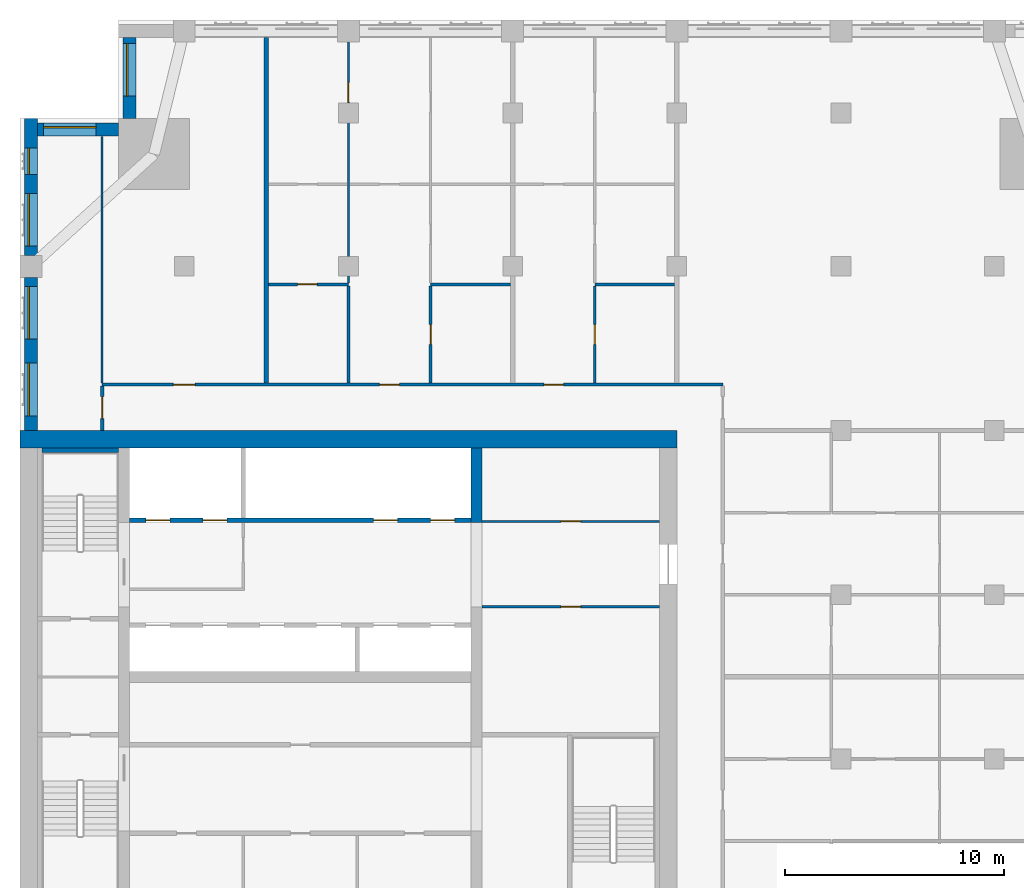
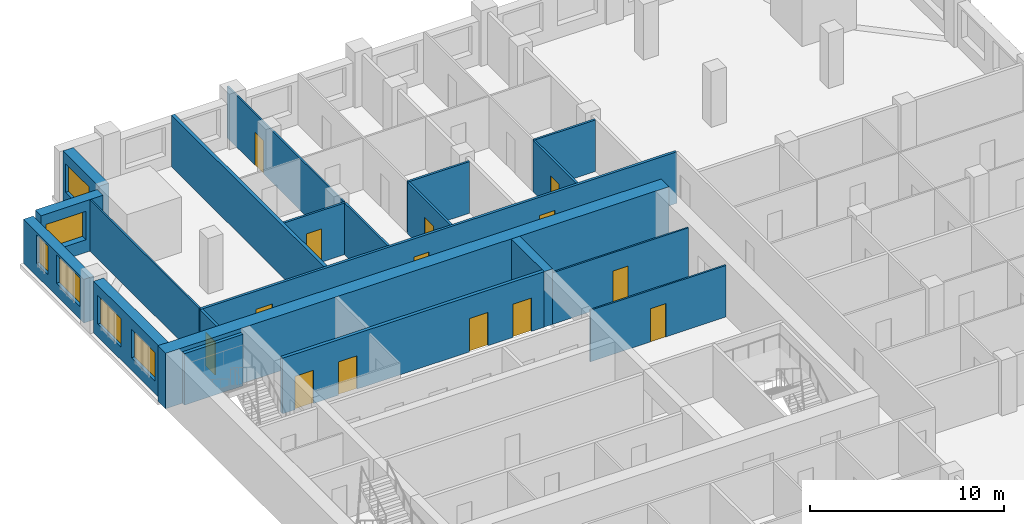
# One storey, part 10 of 14: 21 walls, 14 doors, 6 windows, 20 openings.
"""IFC4 building model written with IfcOpenShell, lengths in metres."""

from ifc_helpers import new_model, si_unit, direction, frame, frame_2d, origin, place, context, subcontext, project, spatial, rectangle, extrude, material, layer, layer_set, type_object, element, fill, save


model = new_model("IFC4")

# Units and contexts
model_context = context("Model", 3, precision=1e-05, world=origin(), true_north=direction((0.0, 1.0)))
body_context = subcontext(model_context, "Body", "Model", "MODEL_VIEW")
ifc_project = project(units=[si_unit("LENGTHUNIT", "METRE"), si_unit("AREAUNIT", "SQUARE_METRE"), si_unit("VOLUMEUNIT", "CUBIC_METRE"), si_unit("PLANEANGLEUNIT", "RADIAN"), si_unit("MASSUNIT", "GRAM", prefix="KILO")], contexts=[model_context])

# Site, building, storey
site_placement = place(None, origin())
site = spatial("IfcSite", under=ifc_project, at=site_placement, CompositionType="ELEMENT")
building_placement = place(site_placement, origin())
building = spatial("IfcBuilding", under=site, at=building_placement, Name="Tamorin Gate", CompositionType="ELEMENT")
storey_placement = place(building_placement, frame((0.0, 0.0, 193.199951171875)))
storey = spatial("IfcBuildingStorey", under=building, at=storey_placement, Name="L47", CompositionType="ELEMENT", Elevation=193.199951171875)

# Wall, opening, window
ifc_material_1 = material(Name="Precast concrete C40/50", Category="concrete")
ifc_layer_1 = layer(ifc_material_1, 0.60009765625)
ifc_layer_set_1 = layer_set([ifc_layer_1], Name="Precast concrete C40/50")
wall_type_1 = type_object("IfcWallType", Name="Board-marked concrete facade panel 600", PredefinedType="SOLIDWALL", material=ifc_layer_set_1)
wall_1_placement = place(storey_placement, frame((35.0, 100.449951171875, 0.0), z_axis=(0.0, 0.0, 1.0), x_axis=(0.0, -1.0, 0.0)))
wall_1 = element("IfcWall", 1, at=wall_1_placement, inside=storey, type_object=wall_type_1, Name="Facade panel", PredefinedType="SOLIDWALL", context=body_context, shape_type="SweptSolid", body=[
    extrude(rectangle(XDim=3.699951171875, YDim=0.60009765625, at=frame_2d((1.85009765625, 0.0))), origin(), (0.0, 0.0, 1.0), 3.25),
])
opening_1_placement = place(wall_1_placement, frame((0.27490234375, 0.0, 0.800048828125)))
opening_1 = element("IfcOpeningElement", 2, at=opening_1_placement, cuts=wall_1, Name="Opening WN1", PredefinedType="OPENING", context=body_context, shape_type="SweptSolid", body=[
    extrude(rectangle(XDim=2.39990234375, YDim=1.800048828125, at=frame_2d((1.199951171875, 0.89990234375))), frame((0.0, 0.31005859375, 0.0), z_axis=(0.0, -1.0, 0.0), x_axis=(1.0, 0.0, 0.0)), (0.0, 0.0, 1.0), 0.6201171875),
])
ifc_material_2 = material(Name="Clear glass in aluminium frame", Category="aluminium")
window_type_1 = type_object("IfcWindowType", Name="Deep-set window 2400x1800", PartitioningType="SINGLE_PANEL", PredefinedType="WINDOW", material=ifc_material_2)
window_1_placement = place(opening_1_placement, origin())
window_1 = element("IfcWindow", 3, at=window_1_placement, inside=storey, type_object=window_type_1, Name="Deep-set window", OverallHeight=1.800048828125, OverallWidth=2.39990234375, PartitioningType="SINGLE_PANEL", PredefinedType="WINDOW", context=body_context, shape_type="SweptSolid", body=[
    extrude(rectangle(XDim=2.39990234375, YDim=1.800048828125, at=frame_2d((1.199951171875, 0.89990234375))), frame((0.0, -0.070068359375, 0.0), z_axis=(0.0, -1.0, 0.0), x_axis=(1.0, 0.0, 0.0)), (0.0, 0.0, 1.0), 0.06005859375),
])
fill(opening_1, window_1)

wall_2_placement = place(storey_placement, frame((34.5, 96.25, 0.0), z_axis=(0.0, 0.0, 1.0), x_axis=(-1.0, 0.0, 0.0)))
wall_2 = element("IfcWall", 4, at=wall_2_placement, inside=storey, type_object=wall_type_1, Name="Facade panel", PredefinedType="SOLIDWALL", context=body_context, shape_type="SweptSolid", body=[
    extrude(rectangle(XDim=3.699951171875, YDim=0.60009765625, at=frame_2d((1.85009765625, 0.0))), origin(), (0.0, 0.0, 1.0), 3.25),
])
opening_2_placement = place(wall_2_placement, frame((1.02490234375, 0.0, 0.800048828125)))
opening_2 = element("IfcOpeningElement", 5, at=opening_2_placement, cuts=wall_2, Name="Opening WN1", PredefinedType="OPENING", context=body_context, shape_type="SweptSolid", body=[
    extrude(rectangle(XDim=2.39990234375, YDim=1.800048828125, at=frame_2d((1.199951171875, 0.89990234375))), frame((0.0, 0.31005859375, 0.0), z_axis=(0.0, -1.0, 0.0), x_axis=(1.0, 0.0, 0.0)), (0.0, 0.0, 1.0), 0.6201171875),
])
window_2_placement = place(opening_2_placement, origin())
window_2 = element("IfcWindow", 6, at=window_2_placement, inside=storey, type_object=window_type_1, Name="Deep-set window", OverallHeight=1.800048828125, OverallWidth=2.39990234375, PartitioningType="SINGLE_PANEL", PredefinedType="WINDOW", context=body_context, shape_type="SweptSolid", body=[
    extrude(rectangle(XDim=2.39990234375, YDim=1.800048828125, at=frame_2d((1.199951171875, 0.89990234375))), frame((0.0, -0.070068359375, 0.0), z_axis=(0.0, -1.0, 0.0), x_axis=(1.0, 0.0, 0.0)), (0.0, 0.0, 1.0), 0.06005859375),
])
fill(opening_2, window_2)

# Wall, openings, windows
wall_3_placement = place(storey_placement, frame((30.5, 96.75, 0.0), z_axis=(0.0, 0.0, 1.0), x_axis=(0.0, -1.0, 0.0)))
wall_3 = element("IfcWall", 7, at=wall_3_placement, inside=storey, type_object=wall_type_1, Name="Facade panel", PredefinedType="SOLIDWALL", context=body_context, shape_type="SweptSolid", body=[
    extrude(rectangle(XDim=6.25, YDim=0.60009765625, at=frame_2d((3.125, 0.0))), origin(), (0.0, 0.0, 1.0), 2.75),
])
opening_3_placement = place(wall_3_placement, frame((3.425048828125, 0.0, 0.800048828125)))
opening_3 = element("IfcOpeningElement", 8, at=opening_3_placement, cuts=wall_3, Name="Opening WN1", PredefinedType="OPENING", context=body_context, shape_type="SweptSolid", body=[
    extrude(rectangle(XDim=2.39990234375, YDim=1.800048828125, at=frame_2d((1.199951171875, 0.89990234375))), frame((0.0, 0.31005859375, 0.0), z_axis=(0.0, -1.0, 0.0), x_axis=(1.0, 0.0, 0.0)), (0.0, 0.0, 1.0), 0.6201171875),
])
opening_4_placement = place(wall_3_placement, frame((1.35009765625, 0.0, 0.800048828125)))
opening_4 = element("IfcOpeningElement", 9, at=opening_4_placement, cuts=wall_3, Name="Opening WN3", PredefinedType="OPENING", context=body_context, shape_type="SweptSolid", body=[
    extrude(rectangle(XDim=1.199951171875, YDim=1.800048828125, at=frame_2d((0.60009765625, 0.89990234375))), frame((0.0, 0.31005859375, 0.0), z_axis=(0.0, -1.0, 0.0), x_axis=(1.0, 0.0, 0.0)), (0.0, 0.0, 1.0), 0.6201171875),
])
window_type_2 = type_object("IfcWindowType", Name="Deep-set window 1200x1800", PartitioningType="SINGLE_PANEL", PredefinedType="WINDOW", material=ifc_material_2)
window_3_placement = place(opening_4_placement, origin())
window_3 = element("IfcWindow", 10, at=window_3_placement, inside=storey, type_object=window_type_2, Name="Deep-set window", OverallHeight=1.800048828125, OverallWidth=1.199951171875, PartitioningType="SINGLE_PANEL", PredefinedType="WINDOW", context=body_context, shape_type="SweptSolid", body=[
    extrude(rectangle(XDim=1.199951171875, YDim=1.800048828125, at=frame_2d((0.60009765625, 0.89990234375))), frame((0.0, -0.070068359375, 0.0), z_axis=(0.0, -1.0, 0.0), x_axis=(1.0, 0.0, 0.0)), (0.0, 0.0, 1.0), 0.06005859375),
])
fill(opening_4, window_3)
window_4_placement = place(opening_3_placement, origin())
window_4 = element("IfcWindow", 11, at=window_4_placement, inside=storey, type_object=window_type_1, Name="Deep-set window", OverallHeight=1.800048828125, OverallWidth=2.39990234375, PartitioningType="SINGLE_PANEL", PredefinedType="WINDOW", context=body_context, shape_type="SweptSolid", body=[
    extrude(rectangle(XDim=2.39990234375, YDim=1.800048828125, at=frame_2d((1.199951171875, 0.89990234375))), frame((0.0, -0.070068359375, 0.0), z_axis=(0.0, -1.0, 0.0), x_axis=(1.0, 0.0, 0.0)), (0.0, 0.0, 1.0), 0.06005859375),
])
fill(opening_3, window_4)

wall_4_placement = place(storey_placement, frame((30.5, 89.5, 0.0), z_axis=(0.0, 0.0, 1.0), x_axis=(0.0, -1.0, 0.0)))
wall_4 = element("IfcWall", 12, at=wall_4_placement, inside=storey, type_object=wall_type_1, Name="Facade panel", PredefinedType="SOLIDWALL", context=body_context, shape_type="SweptSolid", body=[
    extrude(rectangle(XDim=7.0, YDim=0.60009765625, at=frame_2d((3.5, 0.0))), origin(), (0.0, 0.0, 1.0), 3.25),
])
opening_5_placement = place(wall_4_placement, frame((3.925048828125, 0.0, 0.800048828125)))
opening_5 = element("IfcOpeningElement", 13, at=opening_5_placement, cuts=wall_4, Name="Opening WN1", PredefinedType="OPENING", context=body_context, shape_type="SweptSolid", body=[
    extrude(rectangle(XDim=2.39990234375, YDim=1.800048828125, at=frame_2d((1.199951171875, 0.89990234375))), frame((0.0, 0.31005859375, 0.0), z_axis=(0.0, -1.0, 0.0), x_axis=(1.0, 0.0, 0.0)), (0.0, 0.0, 1.0), 0.6201171875),
])
opening_6_placement = place(wall_4_placement, frame((0.425048828125, 0.0, 0.800048828125)))
opening_6 = element("IfcOpeningElement", 14, at=opening_6_placement, cuts=wall_4, Name="Opening WN1", PredefinedType="OPENING", context=body_context, shape_type="SweptSolid", body=[
    extrude(rectangle(XDim=2.39990234375, YDim=1.800048828125, at=frame_2d((1.199951171875, 0.89990234375))), frame((0.0, 0.31005859375, 0.0), z_axis=(0.0, -1.0, 0.0), x_axis=(1.0, 0.0, 0.0)), (0.0, 0.0, 1.0), 0.6201171875),
])
window_5_placement = place(opening_5_placement, origin())
window_5 = element("IfcWindow", 15, at=window_5_placement, inside=storey, type_object=window_type_1, Name="Deep-set window", OverallHeight=1.800048828125, OverallWidth=2.39990234375, PartitioningType="SINGLE_PANEL", PredefinedType="WINDOW", context=body_context, shape_type="SweptSolid", body=[
    extrude(rectangle(XDim=2.39990234375, YDim=1.800048828125, at=frame_2d((1.199951171875, 0.89990234375))), frame((0.0, -0.070068359375, 0.0), z_axis=(0.0, -1.0, 0.0), x_axis=(1.0, 0.0, 0.0)), (0.0, 0.0, 1.0), 0.06005859375),
])
fill(opening_5, window_5)
window_6_placement = place(opening_6_placement, origin())
window_6 = element("IfcWindow", 16, at=window_6_placement, inside=storey, type_object=window_type_1, Name="Deep-set window", OverallHeight=1.800048828125, OverallWidth=2.39990234375, PartitioningType="SINGLE_PANEL", PredefinedType="WINDOW", context=body_context, shape_type="SweptSolid", body=[
    extrude(rectangle(XDim=2.39990234375, YDim=1.800048828125, at=frame_2d((1.199951171875, 0.89990234375))), frame((0.0, -0.070068359375, 0.0), z_axis=(0.0, -1.0, 0.0), x_axis=(1.0, 0.0, 0.0)), (0.0, 0.0, 1.0), 0.06005859375),
])
fill(opening_6, window_6)

# Wall, openings, doors
ifc_material_3 = material(Name="Gypsum board partition")
ifc_layer_2 = layer(ifc_material_3, 0.14990234375)
ifc_layer_set_2 = layer_set([ifc_layer_2], Name="Corridor wall 150")
wall_type_2 = type_object("IfcWallType", Name="Corridor wall 150", PredefinedType="PARTITIONING", material=ifc_layer_set_2)
wall_5_placement = place(storey_placement, frame((33.75, 84.60009765625, 0.0), z_axis=(0.0, 0.0, 1.0), x_axis=(1.0, 0.0, 0.0)))
wall_5 = element("IfcWall", 17, at=wall_5_placement, inside=storey, type_object=wall_type_2, Name="Corridor wall 150", PredefinedType="PARTITIONING", context=body_context, shape_type="SweptSolid", body=[
    extrude(rectangle(XDim=28.35009765625, YDim=0.14990234375, at=frame_2d((14.175048828125, 0.0))), origin(), (0.0, 0.0, 1.0), 3.25),
])
opening_7_placement = place(wall_5_placement, frame((3.25, 0.0, 0.0)))
opening_7 = element("IfcOpeningElement", 18, at=opening_7_placement, cuts=wall_5, Name="Opening DR1022", PredefinedType="OPENING", context=body_context, shape_type="SweptSolid", body=[
    extrude(rectangle(XDim=1.0, YDim=2.10009765625, at=frame_2d((0.5, 1.050048828125))), frame((0.0, 0.0849609375, 0.0), z_axis=(0.0, -1.0, 0.0), x_axis=(1.0, 0.0, 0.0)), (0.0, 0.0, 1.0), 0.169921875),
])
opening_8_placement = place(wall_5_placement, frame((12.675048828125, 0.0, 0.0)))
opening_8 = element("IfcOpeningElement", 19, at=opening_8_placement, cuts=wall_5, Name="Opening DR1025", PredefinedType="OPENING", context=body_context, shape_type="SweptSolid", body=[
    extrude(rectangle(XDim=0.89990234375, YDim=2.10009765625, at=frame_2d((0.449951171875, 1.050048828125))), frame((0.0, 0.0849609375, 0.0), z_axis=(0.0, -1.0, 0.0), x_axis=(1.0, 0.0, 0.0)), (0.0, 0.0, 1.0), 0.169921875),
])
opening_9_placement = place(wall_5_placement, frame((20.175048828125, 0.0, 0.0)))
opening_9 = element("IfcOpeningElement", 20, at=opening_9_placement, cuts=wall_5, Name="Opening DR1031", PredefinedType="OPENING", context=body_context, shape_type="SweptSolid", body=[
    extrude(rectangle(XDim=0.89990234375, YDim=2.10009765625, at=frame_2d((0.449951171875, 1.050048828125))), frame((0.0, 0.0849609375, 0.0), z_axis=(0.0, -1.0, 0.0), x_axis=(1.0, 0.0, 0.0)), (0.0, 0.0, 1.0), 0.169921875),
])
ifc_material_4 = material(Name="Timber door leaf", Category="wood")
door_type_1 = type_object("IfcDoorType", Name="Door 1000 x 2100 FD30S", OperationType="NOTDEFINED", PredefinedType="DOOR", material=ifc_material_4)
door_1_placement = place(opening_7_placement, origin())
door_1 = element("IfcDoor", 21, at=door_1_placement, inside=storey, type_object=door_type_1, Name="Door DR1022", OperationType="SINGLE_SWING_LEFT", OverallHeight=2.10009765625, OverallWidth=1.0, PredefinedType="DOOR", context=body_context, shape_type="SweptSolid", body=[
    extrude(rectangle(XDim=1.0, YDim=2.10009765625, at=frame_2d((0.5, 1.050048828125))), frame((0.0, 0.02490234375, 0.0), z_axis=(0.0, -1.0, 0.0), x_axis=(1.0, 0.0, 0.0)), (0.0, 0.0, 1.0), 0.050048828125),
])
fill(opening_7, door_1)
door_type_2 = type_object("IfcDoorType", Name="Door 900 x 2100 FD30S", OperationType="NOTDEFINED", PredefinedType="DOOR", material=ifc_material_4)
door_2_placement = place(opening_8_placement, origin())
door_2 = element("IfcDoor", 22, at=door_2_placement, inside=storey, type_object=door_type_2, Name="Door DR1025", OperationType="SINGLE_SWING_LEFT", OverallHeight=2.10009765625, OverallWidth=0.89990234375, PredefinedType="DOOR", context=body_context, shape_type="SweptSolid", body=[
    extrude(rectangle(XDim=0.89990234375, YDim=2.10009765625, at=frame_2d((0.449951171875, 1.050048828125))), frame((0.0, 0.02490234375, 0.0), z_axis=(0.0, -1.0, 0.0), x_axis=(1.0, 0.0, 0.0)), (0.0, 0.0, 1.0), 0.050048828125),
])
fill(opening_8, door_2)
door_3_placement = place(opening_9_placement, origin())
door_3 = element("IfcDoor", 23, at=door_3_placement, inside=storey, type_object=door_type_2, Name="Door DR1031", OperationType="SINGLE_SWING_LEFT", OverallHeight=2.10009765625, OverallWidth=0.89990234375, PredefinedType="DOOR", context=body_context, shape_type="SweptSolid", body=[
    extrude(rectangle(XDim=0.89990234375, YDim=2.10009765625, at=frame_2d((0.449951171875, 1.050048828125))), frame((0.0, 0.02490234375, 0.0), z_axis=(0.0, -1.0, 0.0), x_axis=(1.0, 0.0, 0.0)), (0.0, 0.0, 1.0), 0.050048828125),
])
fill(opening_9, door_3)

# Wall, opening, door
wall_6_placement = place(storey_placement, frame((33.75, 82.5, 0.0), z_axis=(0.0, 0.0, 1.0), x_axis=(0.0, 1.0, 0.0)))
wall_6 = element("IfcWall", 24, at=wall_6_placement, inside=storey, type_object=wall_type_2, Name="Corridor wall 150", PredefinedType="PARTITIONING", context=body_context, shape_type="SweptSolid", body=[
    extrude(rectangle(XDim=2.02490234375, YDim=0.14990234375, at=frame_2d((1.012451171875, 0.0))), origin(), (0.0, 0.0, 1.0), 3.25),
])
opening_10_placement = place(wall_6_placement, frame((0.550048828125, 0.0, 0.0)))
opening_10 = element("IfcOpeningElement", 25, at=opening_10_placement, cuts=wall_6, Name="Opening DR1021", PredefinedType="OPENING", context=body_context, shape_type="SweptSolid", body=[
    extrude(rectangle(XDim=1.0, YDim=2.10009765625, at=frame_2d((0.5, 1.050048828125))), frame((0.0, 0.0849609375, 0.0), z_axis=(0.0, -1.0, 0.0), x_axis=(1.0, 0.0, 0.0)), (0.0, 0.0, 1.0), 0.169921875),
])
door_4_placement = place(opening_10_placement, origin())
door_4 = element("IfcDoor", 26, at=door_4_placement, inside=storey, type_object=door_type_1, Name="Door DR1021", OperationType="SINGLE_SWING_LEFT", OverallHeight=2.10009765625, OverallWidth=1.0, PredefinedType="DOOR", context=body_context, shape_type="SweptSolid", body=[
    extrude(rectangle(XDim=1.0, YDim=2.10009765625, at=frame_2d((0.5, 1.050048828125))), frame((0.0, 0.02490234375, 0.0), z_axis=(0.0, -1.0, 0.0), x_axis=(1.0, 0.0, 0.0)), (0.0, 0.0, 1.0), 0.050048828125),
])
fill(opening_10, door_4)

# Wall
ifc_layer_3 = layer(ifc_material_3, 0.199951171875)
ifc_layer_set_3 = layer_set([ifc_layer_3], Name="Demising wall 200")
wall_type_3 = type_object("IfcWallType", Name="Demising wall 200", PredefinedType="PARTITIONING", material=ifc_layer_set_3)
wall_7_placement = place(storey_placement, frame((41.25, 84.675048828125, 0.0), z_axis=(0.0, 0.0, 1.0), x_axis=(0.0, 1.0, 0.0)))
element("IfcWall", 27, at=wall_7_placement, inside=storey, type_object=wall_type_3, Name="Demising wall 200", PredefinedType="PARTITIONING", context=body_context, shape_type="SweptSolid", body=[
    extrude(rectangle(XDim=15.764892578125, YDim=0.199951171875, at=frame_2d((7.88232421875, 0.0))), origin(), (0.0, 0.0, 1.0), 3.25),
])

# Wall, openings, doors
ifc_material_5 = material(Name="Concrete C32/40", Category="concrete")
ifc_layer_4 = layer(ifc_material_5, 0.199951171875)
ifc_layer_set_4 = layer_set([ifc_layer_4], Name="Lift lobby face wall 200 EI 120")
wall_type_4 = type_object("IfcWallType", Name="Lift lobby face wall 200 EI 120", PredefinedType="SOLIDWALL", material=ifc_layer_set_4)
wall_8_placement = place(storey_placement, frame((35.0, 78.39990234375, 0.0), z_axis=(0.0, 0.0, 1.0), x_axis=(1.0, 0.0, 0.0)))
wall_8 = element("IfcWall", 28, at=wall_8_placement, inside=storey, type_object=wall_type_4, Name="Lift lobby face wall", PredefinedType="SOLIDWALL", context=body_context, shape_type="SweptSolid", body=[
    extrude(rectangle(XDim=15.60009765625, YDim=0.199951171875, at=frame_2d((7.800048828125, 0.0))), origin(), (0.0, 0.0, 1.0), 3.5),
])
opening_11_placement = place(wall_8_placement, frame((0.75, 0.0, 0.0)))
opening_11 = element("IfcOpeningElement", 29, at=opening_11_placement, cuts=wall_8, Name="Opening LD17", PredefinedType="OPENING", context=body_context, shape_type="SweptSolid", body=[
    extrude(rectangle(XDim=1.10009765625, YDim=2.10009765625, at=frame_2d((0.550048828125, 1.050048828125))), frame((0.0, 0.10986328125, 0.0), z_axis=(0.0, -1.0, 0.0), x_axis=(1.0, 0.0, 0.0)), (0.0, 0.0, 1.0), 0.219970703125),
])
opening_12_placement = place(wall_8_placement, frame((3.35009765625, 0.0, 0.0)))
opening_12 = element("IfcOpeningElement", 30, at=opening_12_placement, cuts=wall_8, Name="Opening LD18", PredefinedType="OPENING", context=body_context, shape_type="SweptSolid", body=[
    extrude(rectangle(XDim=1.10009765625, YDim=2.10009765625, at=frame_2d((0.550048828125, 1.050048828125))), frame((0.0, 0.10986328125, 0.0), z_axis=(0.0, -1.0, 0.0), x_axis=(1.0, 0.0, 0.0)), (0.0, 0.0, 1.0), 0.219970703125),
])
opening_13_placement = place(wall_8_placement, frame((11.14990234375, 0.0, 0.0)))
opening_13 = element("IfcOpeningElement", 31, at=opening_13_placement, cuts=wall_8, Name="Opening LD21", PredefinedType="OPENING", context=body_context, shape_type="SweptSolid", body=[
    extrude(rectangle(XDim=1.10009765625, YDim=2.10009765625, at=frame_2d((0.550048828125, 1.050048828125))), frame((0.0, 0.10986328125, 0.0), z_axis=(0.0, -1.0, 0.0), x_axis=(1.0, 0.0, 0.0)), (0.0, 0.0, 1.0), 0.219970703125),
])
opening_14_placement = place(wall_8_placement, frame((13.75, 0.0, 0.0)))
opening_14 = element("IfcOpeningElement", 32, at=opening_14_placement, cuts=wall_8, Name="Opening LD22", PredefinedType="OPENING", context=body_context, shape_type="SweptSolid", body=[
    extrude(rectangle(XDim=1.10009765625, YDim=2.10009765625, at=frame_2d((0.550048828125, 1.050048828125))), frame((0.0, 0.10986328125, 0.0), z_axis=(0.0, -1.0, 0.0), x_axis=(1.0, 0.0, 0.0)), (0.0, 0.0, 1.0), 0.219970703125),
])
ifc_material_6 = material(Name="Stainless steel sliding door", Category="steel")
door_type_3 = type_object("IfcDoorType", Name="Lift landing door 1100 x 2100 E 90", OperationType="DOUBLE_DOOR_SLIDING", PredefinedType="DOOR", material=ifc_material_6)
door_5_placement = place(opening_11_placement, origin())
door_5 = element("IfcDoor", 33, at=door_5_placement, inside=storey, type_object=door_type_3, Name="FF1 landing door", OperationType="DOUBLE_DOOR_SLIDING", OverallHeight=2.10009765625, OverallWidth=1.10009765625, PredefinedType="DOOR", context=body_context, shape_type="SweptSolid", body=[
    extrude(rectangle(XDim=1.10009765625, YDim=2.10009765625, at=frame_2d((0.550048828125, 1.050048828125))), frame((0.0, 0.02490234375, 0.0), z_axis=(0.0, -1.0, 0.0), x_axis=(1.0, 0.0, 0.0)), (0.0, 0.0, 1.0), 0.050048828125),
])
fill(opening_11, door_5)
door_6_placement = place(opening_12_placement, origin())
door_6 = element("IfcDoor", 34, at=door_6_placement, inside=storey, type_object=door_type_3, Name="FF2 landing door", OperationType="DOUBLE_DOOR_SLIDING", OverallHeight=2.10009765625, OverallWidth=1.10009765625, PredefinedType="DOOR", context=body_context, shape_type="SweptSolid", body=[
    extrude(rectangle(XDim=1.10009765625, YDim=2.10009765625, at=frame_2d((0.550048828125, 1.050048828125))), frame((0.0, 0.02490234375, 0.0), z_axis=(0.0, -1.0, 0.0), x_axis=(1.0, 0.0, 0.0)), (0.0, 0.0, 1.0), 0.050048828125),
])
fill(opening_12, door_6)
door_7_placement = place(opening_13_placement, origin())
door_7 = element("IfcDoor", 35, at=door_7_placement, inside=storey, type_object=door_type_3, Name="SV1 landing door", OperationType="DOUBLE_DOOR_SLIDING", OverallHeight=2.10009765625, OverallWidth=1.10009765625, PredefinedType="DOOR", context=body_context, shape_type="SweptSolid", body=[
    extrude(rectangle(XDim=1.10009765625, YDim=2.10009765625, at=frame_2d((0.550048828125, 1.050048828125))), frame((0.0, 0.02490234375, 0.0), z_axis=(0.0, -1.0, 0.0), x_axis=(1.0, 0.0, 0.0)), (0.0, 0.0, 1.0), 0.050048828125),
])
fill(opening_13, door_7)
door_8_placement = place(opening_14_placement, origin())
door_8 = element("IfcDoor", 36, at=door_8_placement, inside=storey, type_object=door_type_3, Name="SV2 landing door", OperationType="DOUBLE_DOOR_SLIDING", OverallHeight=2.10009765625, OverallWidth=1.10009765625, PredefinedType="DOOR", context=body_context, shape_type="SweptSolid", body=[
    extrude(rectangle(XDim=1.10009765625, YDim=2.10009765625, at=frame_2d((0.550048828125, 1.050048828125))), frame((0.0, 0.02490234375, 0.0), z_axis=(0.0, -1.0, 0.0), x_axis=(1.0, 0.0, 0.0)), (0.0, 0.0, 1.0), 0.050048828125),
])
fill(opening_14, door_8)

# Walls
ifc_material_7 = material(Name="Concrete C60/75", Category="concrete")
ifc_layer_5 = layer(ifc_material_7, 0.5)
ifc_layer_set_5 = layer_set([ifc_layer_5], Name="RC core internal wall 500 C60/75")
wall_type_5 = type_object("IfcWallType", Name="RC core internal wall 500 C60/75", PredefinedType="SHEAR", material=ifc_layer_set_5)
wall_9_placement = place(storey_placement, frame((50.85009765625, 78.300048828125, 0.0), z_axis=(0.0, 0.0, 1.0), x_axis=(0.0, 1.0, 0.0)))
element("IfcWall", 37, at=wall_9_placement, inside=storey, type_object=wall_type_5, Name="Core cross wall L47", PredefinedType="SHEAR", context=body_context, shape_type="SweptSolid", body=[
    extrude(rectangle(XDim=3.39990234375, YDim=0.5, at=frame_2d((1.699951171875, 0.0))), origin(), (0.0, 0.0, 1.0), 3.5),
])
ifc_layer_6 = layer(ifc_material_7, 0.800048828125)
ifc_layer_set_6 = layer_set([ifc_layer_6], Name="RC core wall 800 C60/75")
wall_type_6 = type_object("IfcWallType", Name="RC core wall 800 C60/75", PredefinedType="SHEAR", material=ifc_layer_set_6)
wall_10_placement = place(storey_placement, frame((30.0, 82.10009765625, 0.0), z_axis=(0.0, 0.0, 1.0), x_axis=(1.0, 0.0, 0.0)))
element("IfcWall", 38, at=wall_10_placement, inside=storey, type_object=wall_type_6, Name="Core wall L47", PredefinedType="SHEAR", context=body_context, shape_type="SweptSolid", body=[
    extrude(rectangle(XDim=30.0, YDim=0.800048828125, at=frame_2d((15.0, 0.0))), origin(), (0.0, 0.0, 1.0), 3.5),
])
ifc_layer_7 = layer(ifc_material_3, 0.10009765625)
ifc_layer_set_7 = layer_set([ifc_layer_7], Name="Room partition 100")
wall_type_7 = type_object("IfcWallType", Name="Room partition 100", PredefinedType="PARTITIONING", material=ifc_layer_set_7)
wall_11_placement = place(storey_placement, frame((33.75, 84.675048828125, 0.0), z_axis=(0.0, 0.0, 1.0), x_axis=(0.0, 1.0, 0.0)))
element("IfcWall", 39, at=wall_11_placement, inside=storey, type_object=wall_type_7, Name="Room partition 100", PredefinedType="PARTITIONING", context=body_context, shape_type="SweptSolid", body=[
    extrude(rectangle(XDim=11.264892578125, YDim=0.10009765625, at=frame_2d((5.63232421875, 0.0))), origin(), (0.0, 0.0, 1.0), 3.25),
])

# Wall, opening, door
wall_12_placement = place(storey_placement, frame((45.0, 89.237548828125, 0.0), z_axis=(0.0, 0.0, 1.0), x_axis=(0.0, 1.0, 0.0)))
wall_12 = element("IfcWall", 40, at=wall_12_placement, inside=storey, type_object=wall_type_7, Name="Room partition 100", PredefinedType="PARTITIONING", context=body_context, shape_type="SweptSolid", body=[
    extrude(rectangle(XDim=12.012451171875, YDim=0.10009765625, at=frame_2d((6.00634765625, 0.0))), origin(), (0.0, 0.0, 1.0), 3.25),
])
opening_15_placement = place(wall_12_placement, frame((8.262451171875, 0.0, 0.0)))
opening_15 = element("IfcOpeningElement", 41, at=opening_15_placement, cuts=wall_12, Name="Opening DR1029", PredefinedType="OPENING", context=body_context, shape_type="SweptSolid", body=[
    extrude(rectangle(XDim=0.89990234375, YDim=2.10009765625, at=frame_2d((0.449951171875, 1.050048828125))), frame((0.0, 0.06005859375, 0.0), z_axis=(0.0, -1.0, 0.0), x_axis=(1.0, 0.0, 0.0)), (0.0, 0.0, 1.0), 0.1201171875),
])
door_type_4 = type_object("IfcDoorType", Name="Door 900 x 2100", OperationType="NOTDEFINED", PredefinedType="DOOR", material=ifc_material_4)
door_9_placement = place(opening_15_placement, origin())
door_9 = element("IfcDoor", 42, at=door_9_placement, inside=storey, type_object=door_type_4, Name="Door DR1029", OperationType="SINGLE_SWING_RIGHT", OverallHeight=2.10009765625, OverallWidth=0.89990234375, PredefinedType="DOOR", context=body_context, shape_type="SweptSolid", body=[
    extrude(rectangle(XDim=0.89990234375, YDim=2.10009765625, at=frame_2d((0.449951171875, 1.050048828125))), frame((0.0, 0.02490234375, 0.0), z_axis=(0.0, -1.0, 0.0), x_axis=(1.0, 0.0, 0.0)), (0.0, 0.0, 1.0), 0.050048828125),
])
fill(opening_15, door_9)

ifc_layer_8 = layer(ifc_material_3, 0.10009765625)
ifc_layer_set_8 = layer_set([ifc_layer_8], Name="Service room partition 100 EI 60")
wall_type_8 = type_object("IfcWallType", Name="Service room partition 100 EI 60", PredefinedType="PARTITIONING", material=ifc_layer_set_8)
wall_13_placement = place(storey_placement, frame((51.10009765625, 74.449951171875, 0.0), z_axis=(0.0, 0.0, 1.0), x_axis=(1.0, 0.0, 0.0)))
wall_13 = element("IfcWall", 43, at=wall_13_placement, inside=storey, type_object=wall_type_8, Name="Service room wall", PredefinedType="PARTITIONING", context=body_context, shape_type="SweptSolid", body=[
    extrude(rectangle(XDim=8.099853515625, YDim=0.10009765625, at=frame_2d((4.0498046875, 0.0))), origin(), (0.0, 0.0, 1.0), 3.25),
])
opening_16_placement = place(wall_13_placement, frame((3.60009765625, 0.0, 0.0)))
opening_16 = element("IfcOpeningElement", 44, at=opening_16_placement, cuts=wall_13, Name="Opening DR1", PredefinedType="OPENING", context=body_context, shape_type="SweptSolid", body=[
    extrude(rectangle(XDim=0.89990234375, YDim=2.10009765625, at=frame_2d((0.449951171875, 1.050048828125))), frame((0.0, 0.06005859375, 0.0), z_axis=(0.0, -1.0, 0.0), x_axis=(1.0, 0.0, 0.0)), (0.0, 0.0, 1.0), 0.1201171875),
])
ifc_material_8 = material(Name="Steel fire door", Category="steel")
door_type_5 = type_object("IfcDoorType", Name="Riser access door 900 x 2100 EI 120", OperationType="SINGLE_SWING_LEFT", PredefinedType="DOOR", material=ifc_material_8)
door_10_placement = place(opening_16_placement, origin())
door_10 = element("IfcDoor", 45, at=door_10_placement, inside=storey, type_object=door_type_5, Name="Duct riser door", OperationType="SINGLE_SWING_LEFT", OverallHeight=2.10009765625, OverallWidth=0.89990234375, PredefinedType="DOOR", context=body_context, shape_type="SweptSolid", body=[
    extrude(rectangle(XDim=0.89990234375, YDim=2.10009765625, at=frame_2d((0.449951171875, 1.050048828125))), frame((0.0, 0.02490234375, 0.0), z_axis=(0.0, -1.0, 0.0), x_axis=(1.0, 0.0, 0.0)), (0.0, 0.0, 1.0), 0.050048828125),
])
fill(opening_16, door_10)

wall_14_placement = place(storey_placement, frame((51.10009765625, 78.35009765625, 0.0), z_axis=(0.0, 0.0, 1.0), x_axis=(1.0, 0.0, 0.0)))
wall_14 = element("IfcWall", 46, at=wall_14_placement, inside=storey, type_object=wall_type_8, Name="Service room wall", PredefinedType="PARTITIONING", context=body_context, shape_type="SweptSolid", body=[
    extrude(rectangle(XDim=8.099853515625, YDim=0.10009765625, at=frame_2d((4.0498046875, 0.0))), origin(), (0.0, 0.0, 1.0), 3.25),
])
opening_17_placement = place(wall_14_placement, frame((3.60009765625, 0.0, 0.0)))
opening_17 = element("IfcOpeningElement", 47, at=opening_17_placement, cuts=wall_14, Name="Opening DK1", PredefinedType="OPENING", context=body_context, shape_type="SweptSolid", body=[
    extrude(rectangle(XDim=0.89990234375, YDim=2.10009765625, at=frame_2d((0.449951171875, 1.050048828125))), frame((0.0, 0.06005859375, 0.0), z_axis=(0.0, -1.0, 0.0), x_axis=(1.0, 0.0, 0.0)), (0.0, 0.0, 1.0), 0.1201171875),
])
ifc_material_9 = material(Name="Timber fire door", Category="wood")
door_type_6 = type_object("IfcDoorType", Name="Service room door 900 x 2100 EI 60", OperationType="SINGLE_SWING_LEFT", PredefinedType="DOOR", material=ifc_material_9)
door_11_placement = place(opening_17_placement, origin())
door_11 = element("IfcDoor", 48, at=door_11_placement, inside=storey, type_object=door_type_6, Name="Door Pantry", OperationType="SINGLE_SWING_LEFT", OverallHeight=2.10009765625, OverallWidth=0.89990234375, PredefinedType="DOOR", context=body_context, shape_type="SweptSolid", body=[
    extrude(rectangle(XDim=0.89990234375, YDim=2.10009765625, at=frame_2d((0.449951171875, 1.050048828125))), frame((0.0, 0.02490234375, 0.0), z_axis=(0.0, -1.0, 0.0), x_axis=(1.0, 0.0, 0.0)), (0.0, 0.0, 1.0), 0.050048828125),
])
fill(opening_17, door_11)

# Wall
ifc_layer_9 = layer(ifc_material_7, 0.199951171875)
ifc_layer_set_9 = layer_set([ifc_layer_9], Name="Stair lining wall 200 EI 120 C60/75")
wall_type_9 = type_object("IfcWallType", Name="Stair lining wall 200 EI 120 C60/75", PredefinedType="SOLIDWALL", material=ifc_layer_set_9)
wall_15_placement = place(storey_placement, frame((31.0, 81.60009765625, 0.0), z_axis=(0.0, 0.0, 1.0), x_axis=(1.0, 0.0, 0.0)))
element("IfcWall", 49, at=wall_15_placement, inside=storey, type_object=wall_type_9, Name="Stair lining wall", PredefinedType="SOLIDWALL", context=body_context, shape_type="SweptSolid", body=[
    extrude(rectangle(XDim=3.5, YDim=0.199951171875, at=frame_2d((1.75, 0.0))), origin(), (0.0, 0.0, 1.0), 3.25),
])

# Wall, opening, door
ifc_layer_10 = layer(ifc_material_3, 0.125)
ifc_layer_set_10 = layer_set([ifc_layer_10], Name="Wet wall 125")
wall_type_10 = type_object("IfcWallType", Name="Wet wall 125", PredefinedType="PARTITIONING", material=ifc_layer_set_10)
wall_16_placement = place(storey_placement, frame((41.35009765625, 89.175048828125, 0.0), z_axis=(0.0, 0.0, 1.0), x_axis=(1.0, 0.0, 0.0)))
wall_16 = element("IfcWall", 50, at=wall_16_placement, inside=storey, type_object=wall_type_10, Name="Wet wall 125", PredefinedType="PARTITIONING", context=body_context, shape_type="SweptSolid", body=[
    extrude(rectangle(XDim=3.64990234375, YDim=0.125, at=frame_2d((1.824951171875, 0.0))), origin(), (0.0, 0.0, 1.0), 3.25),
])
opening_18_placement = place(wall_16_placement, frame((1.324951171875, 0.0, 0.0)))
opening_18 = element("IfcOpeningElement", 51, at=opening_18_placement, cuts=wall_16, Name="Opening DR1024", PredefinedType="OPENING", context=body_context, shape_type="SweptSolid", body=[
    extrude(rectangle(XDim=0.89990234375, YDim=2.10009765625, at=frame_2d((0.449951171875, 1.050048828125))), frame((0.0, 0.072509765625, 0.0), z_axis=(0.0, -1.0, 0.0), x_axis=(1.0, 0.0, 0.0)), (0.0, 0.0, 1.0), 0.14501953125),
])
door_12_placement = place(opening_18_placement, origin())
door_12 = element("IfcDoor", 52, at=door_12_placement, inside=storey, type_object=door_type_4, Name="Door DR1024", OperationType="SINGLE_SWING_RIGHT", OverallHeight=2.10009765625, OverallWidth=0.89990234375, PredefinedType="DOOR", context=body_context, shape_type="SweptSolid", body=[
    extrude(rectangle(XDim=0.89990234375, YDim=2.10009765625, at=frame_2d((0.449951171875, 1.050048828125))), frame((0.0, 0.02490234375, 0.0), z_axis=(0.0, -1.0, 0.0), x_axis=(1.0, 0.0, 0.0)), (0.0, 0.0, 1.0), 0.050048828125),
])
fill(opening_18, door_12)

# Walls
for number, where, z_axis, x_axis, name in (
    (53, (48.75, 89.175048828125, 0.0), (0.0, 0.0, 1.0), (1.0, 0.0, 0.0), "Wet wall 125"),
    (54, (56.25, 89.175048828125, 0.0), (0.0, 0.0, 1.0), (1.0, 0.0, 0.0), "Wet wall 125"),
):
    element("IfcWall", number, at=place(storey_placement, frame(where, z_axis=z_axis, x_axis=x_axis)), inside=storey, type_object=wall_type_10, Name=name, PredefinedType="PARTITIONING", context=body_context, shape_type="SweptSolid", body=[
        extrude(rectangle(XDim=3.64990234375, YDim=0.125, at=frame_2d((1.824951171875, 0.0))), origin(), (0.0, 0.0, 1.0), 3.25),
    ])
wall_17_placement = place(storey_placement, frame((45.0, 84.675048828125, 0.0), z_axis=(0.0, 0.0, 1.0), x_axis=(0.0, 1.0, 0.0)))
element("IfcWall", 55, at=wall_17_placement, inside=storey, type_object=wall_type_10, Name="Wet wall 125", PredefinedType="PARTITIONING", context=body_context, shape_type="SweptSolid", body=[
    extrude(rectangle(XDim=4.4375, YDim=0.125, at=frame_2d((2.21875, 0.0))), origin(), (0.0, 0.0, 1.0), 3.25),
])

# Wall, opening, door
wall_18_placement = place(storey_placement, frame((48.75, 84.675048828125, 0.0), z_axis=(0.0, 0.0, 1.0), x_axis=(0.0, 1.0, 0.0)))
wall_18 = element("IfcWall", 56, at=wall_18_placement, inside=storey, type_object=wall_type_10, Name="Wet wall 125", PredefinedType="PARTITIONING", context=body_context, shape_type="SweptSolid", body=[
    extrude(rectangle(XDim=4.4375, YDim=0.125, at=frame_2d((2.21875, 0.0))), origin(), (0.0, 0.0, 1.0), 3.25),
])
opening_19_placement = place(wall_18_placement, frame((1.762451171875, 0.0, 0.0)))
opening_19 = element("IfcOpeningElement", 57, at=opening_19_placement, cuts=wall_18, Name="Opening DR1028", PredefinedType="OPENING", context=body_context, shape_type="SweptSolid", body=[
    extrude(rectangle(XDim=0.89990234375, YDim=2.10009765625, at=frame_2d((0.449951171875, 1.050048828125))), frame((0.0, 0.072509765625, 0.0), z_axis=(0.0, -1.0, 0.0), x_axis=(1.0, 0.0, 0.0)), (0.0, 0.0, 1.0), 0.14501953125),
])
door_13_placement = place(opening_19_placement, origin())
door_13 = element("IfcDoor", 58, at=door_13_placement, inside=storey, type_object=door_type_4, Name="Door DR1028", OperationType="SINGLE_SWING_LEFT", OverallHeight=2.10009765625, OverallWidth=0.89990234375, PredefinedType="DOOR", context=body_context, shape_type="SweptSolid", body=[
    extrude(rectangle(XDim=0.89990234375, YDim=2.10009765625, at=frame_2d((0.449951171875, 1.050048828125))), frame((0.0, 0.02490234375, 0.0), z_axis=(0.0, -1.0, 0.0), x_axis=(1.0, 0.0, 0.0)), (0.0, 0.0, 1.0), 0.050048828125),
])
fill(opening_19, door_13)

wall_19_placement = place(storey_placement, frame((56.25, 84.675048828125, 0.0), z_axis=(0.0, 0.0, 1.0), x_axis=(0.0, 1.0, 0.0)))
wall_19 = element("IfcWall", 59, at=wall_19_placement, inside=storey, type_object=wall_type_10, Name="Wet wall 125", PredefinedType="PARTITIONING", context=body_context, shape_type="SweptSolid", body=[
    extrude(rectangle(XDim=4.4375, YDim=0.125, at=frame_2d((2.21875, 0.0))), origin(), (0.0, 0.0, 1.0), 3.25),
])
opening_20_placement = place(wall_19_placement, frame((1.762451171875, 0.0, 0.0)))
opening_20 = element("IfcOpeningElement", 60, at=opening_20_placement, cuts=wall_19, Name="Opening DR1034", PredefinedType="OPENING", context=body_context, shape_type="SweptSolid", body=[
    extrude(rectangle(XDim=0.89990234375, YDim=2.10009765625, at=frame_2d((0.449951171875, 1.050048828125))), frame((0.0, 0.072509765625, 0.0), z_axis=(0.0, -1.0, 0.0), x_axis=(1.0, 0.0, 0.0)), (0.0, 0.0, 1.0), 0.14501953125),
])
door_14_placement = place(opening_20_placement, origin())
door_14 = element("IfcDoor", 61, at=door_14_placement, inside=storey, type_object=door_type_4, Name="Door DR1034", OperationType="SINGLE_SWING_LEFT", OverallHeight=2.10009765625, OverallWidth=0.89990234375, PredefinedType="DOOR", context=body_context, shape_type="SweptSolid", body=[
    extrude(rectangle(XDim=0.89990234375, YDim=2.10009765625, at=frame_2d((0.449951171875, 1.050048828125))), frame((0.0, 0.02490234375, 0.0), z_axis=(0.0, -1.0, 0.0), x_axis=(1.0, 0.0, 0.0)), (0.0, 0.0, 1.0), 0.050048828125),
])
fill(opening_20, door_14)

save(model, "model.ifc")
